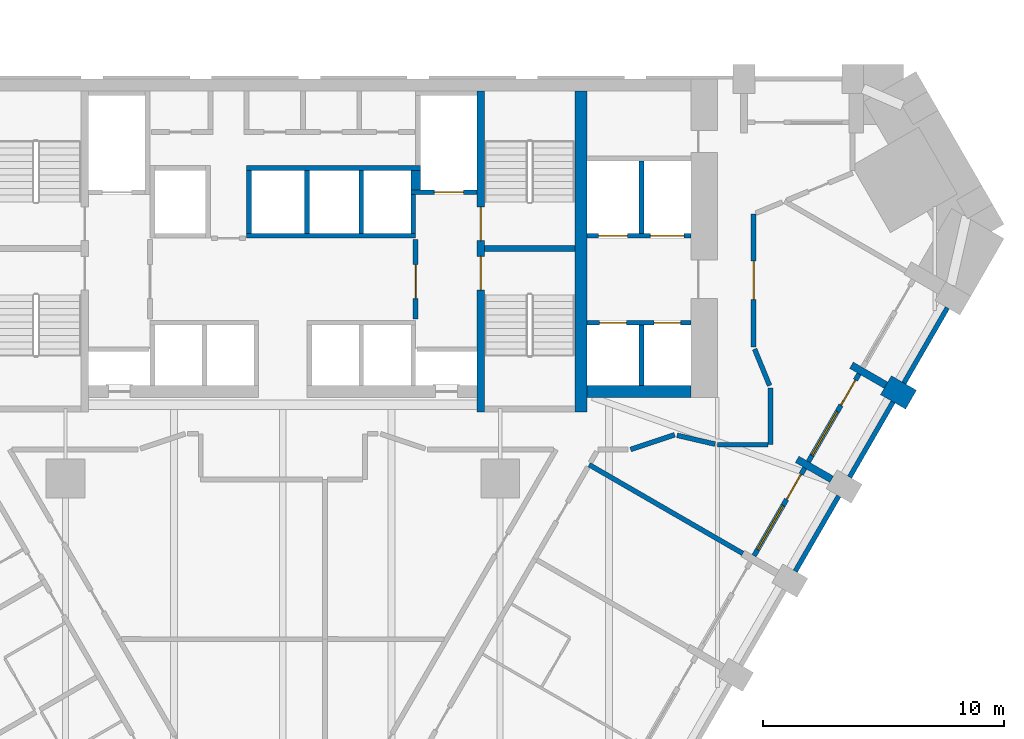
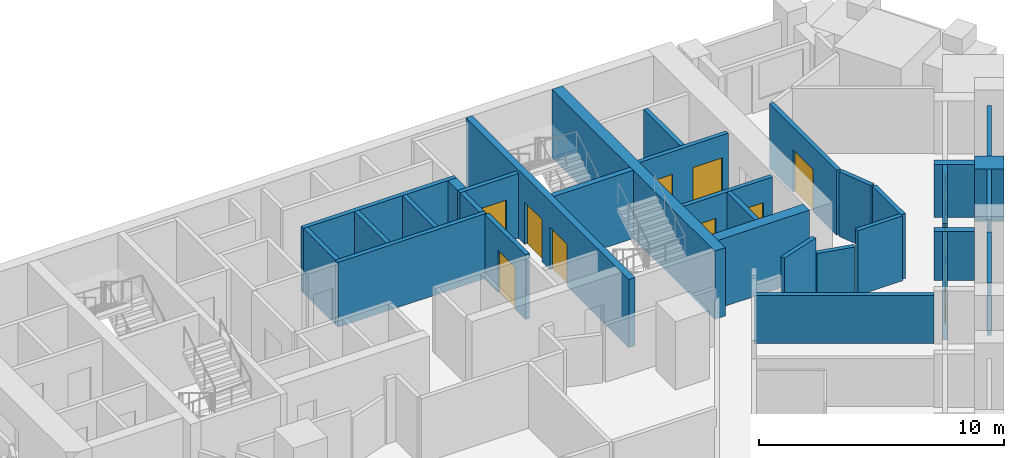
# One storey, part 8 of 11: 32 walls, 11 doors, 2 windows, 13 openings.
"""IFC4 building model written with IfcOpenShell, lengths in metres."""

import ifcopenshell
import ifcopenshell.guid

model = None  # the IFC model being written
_history = None  # IfcOwnerHistory: only IFC2X3 demands one
_inside = {}  # id of a spatial element -> (the spatial element, [elements in it])
_under = {}  # id of a project, library or spatial element -> (it, [spatial elements below it])
_declared = {}  # id of a project -> (the project, [libraries it declares])
_typed = {}  # id of a type object -> (the type object, [elements of that type])
_made_of = {}  # id of a material, layer set ... -> (it, [elements and type objects made of it])


def new_model(schema):
    """Start an empty IFC model of exactly this schema.

    Asked for "IFC4X3", IfcOpenShell would pick the latest addendum, in which some entities
    have other attributes; the version numbers below select the first issue.
    IFC2X3 requires an IfcOwnerHistory on every rooted entity: one is made here for all.
    """
    global model, _history
    if schema == "IFC4X3":
        model = ifcopenshell.file(schema_version=(4, 3, 0, 0))
    else:
        model = ifcopenshell.file(schema=schema)
    _inside.clear()
    _under.clear()
    _declared.clear()
    _typed.clear()
    _made_of.clear()
    _history = None
    if model.schema == "IFC2X3":
        org = make("IfcOrganization", Name="unknown")
        user = make(
            "IfcPersonAndOrganization",
            ThePerson=make("IfcPerson", FamilyName="unknown"),
            TheOrganization=org,
        )
        app = make(
            "IfcApplication",
            ApplicationDeveloper=org,
            Version="unknown",
            ApplicationFullName="unknown",
            ApplicationIdentifier="unknown",
        )
        _history = make(
            "IfcOwnerHistory",
            OwningUser=user,
            OwningApplication=app,
            ChangeAction="ADDED",
            CreationDate=0,
        )
    return model


def make(cls, **values):
    """One entity of the class cls with the attributes given. An attribute that is None is left unset."""
    return model.create_entity(
        cls, **{name: value for name, value in values.items() if value is not None}
    )


def rooted(cls, **values):
    """An entity with a GlobalId (a new one), such as an element, a storey or a relation."""
    return make(cls, GlobalId=ifcopenshell.guid.new(), OwnerHistory=_history, **values)


def si_unit(unit_type, name, prefix=None):
    """IfcSIUnit, for example si_unit("LENGTHUNIT", "METRE", prefix="MILLI")."""
    return make("IfcSIUnit", UnitType=unit_type, Prefix=prefix, Name=name)


def assignment(units):
    """IfcUnitAssignment: the units of a project."""
    return None if units is None else make("IfcUnitAssignment", Units=units)


def point(xyz):
    """IfcCartesianPoint."""
    return None if xyz is None else make("IfcCartesianPoint", Coordinates=xyz)


def direction(xyz):
    """IfcDirection."""
    return None if xyz is None else make("IfcDirection", DirectionRatios=xyz)


def frame(location, z_axis=None, x_axis=None):
    """IfcAxis2Placement3D, a coordinate frame: its origin and axes. An axis left out is left unset."""
    return make(
        "IfcAxis2Placement3D",
        Location=point(location),
        Axis=direction(z_axis),
        RefDirection=direction(x_axis),
    )


def frame_2d(location, x_axis=None):
    """IfcAxis2Placement2D, a coordinate frame in the plane: its origin and x axis."""
    return make(
        "IfcAxis2Placement2D", Location=point(location), RefDirection=direction(x_axis)
    )


def origin():
    """The frame at (0, 0, 0) with its axes left unset."""
    return frame((0.0, 0.0, 0.0))


def place(relative_to, where):
    """IfcLocalPlacement: puts the frame where relative to a parent placement (None: the world)."""
    return make(
        "IfcLocalPlacement", PlacementRelTo=relative_to, RelativePlacement=where
    )


def context(
    kind, dimensions, precision=None, world=None, true_north=None, identifier=None
):
    """IfcGeometricRepresentationContext, for example the 3D "Model" context."""
    return make(
        "IfcGeometricRepresentationContext",
        ContextIdentifier=identifier,
        ContextType=kind,
        CoordinateSpaceDimension=dimensions,
        Precision=precision,
        WorldCoordinateSystem=world,
        TrueNorth=true_north,
    )


def subcontext(parent, identifier, kind, view, scale=None):
    """IfcGeometricRepresentationSubContext, for example "Body" below "Model"."""
    return make(
        "IfcGeometricRepresentationSubContext",
        ContextIdentifier=identifier,
        ContextType=kind,
        ParentContext=parent,
        TargetScale=scale,
        TargetView=view,
    )


def project(units=None, contexts=None):
    """IfcProject with its units and contexts."""
    return rooted(
        "IfcProject",
        Name="project",
        RepresentationContexts=contexts,
        UnitsInContext=assignment(units),
    )


def spatial(cls, under=None, at=None, **own):
    """A site, building, storey or space (cls), placed at a placement, below another one or the project."""
    s = rooted(cls, ObjectPlacement=at, **own)
    if under is not None:
        _under.setdefault(under.id(), (under, []))[1].append(s)
    return s


def polyline(points):
    """IfcPolyline through the points."""
    return make("IfcPolyline", Points=[point(p) for p in points])


def profile(cls, at=None, kind="AREA", **sizes):
    """A parametric profile (cls). Its sizes go by their IFC names, for example OverallWidth=200.0."""
    return make(cls, ProfileType=kind, Position=at, **sizes)


def rectangle(**sizes):
    """IfcRectangleProfileDef."""
    return profile("IfcRectangleProfileDef", **sizes)


def outline(outer, holes=None, kind="AREA"):
    """IfcArbitraryClosedProfileDef: a profile drawn as a closed curve; with holes, ...WithVoids."""
    if holes is None:
        return make("IfcArbitraryClosedProfileDef", ProfileType=kind, OuterCurve=outer)
    return make(
        "IfcArbitraryProfileDefWithVoids",
        ProfileType=kind,
        OuterCurve=outer,
        InnerCurves=holes,
    )


def extrude(swept, where, along, depth):
    """IfcExtrudedAreaSolid: the profile swept, set in the frame where, extruded along a direction by depth."""
    return make(
        "IfcExtrudedAreaSolid",
        SweptArea=swept,
        Position=where,
        ExtrudedDirection=direction(along),
        Depth=depth,
    )


def shape(context_of_items, identifier, shape_type, items):
    """IfcShapeRepresentation: the items that make up one representation, for example the "Body"."""
    return make(
        "IfcShapeRepresentation",
        ContextOfItems=context_of_items,
        RepresentationIdentifier=identifier,
        RepresentationType=shape_type,
        Items=items,
    )


def material(Name=None, Category=None):
    """IfcMaterial."""
    return make("IfcMaterial", Name=Name, Category=Category)


def layer(
    of_material, thickness, ventilated=None, Name=None, Category=None, Priority=None
):
    """IfcMaterialLayer: one layer of a wall or slab, of a material (None: an air gap)."""
    return make(
        "IfcMaterialLayer",
        Material=of_material,
        LayerThickness=thickness,
        IsVentilated=ventilated,
        Name=Name,
        Category=Category,
        Priority=Priority,
    )


def layer_set(layers, Name=None):
    """IfcMaterialLayerSet."""
    return make("IfcMaterialLayerSet", MaterialLayers=layers, LayerSetName=Name)


def made_of(thing, what):
    """Note that an element or type object is made of a material, layer set ...; save() writes the relation."""
    if what is not None:
        _made_of.setdefault(what.id(), (what, []))[1].append(thing)
    return thing


def type_object(cls, material=None, **own):
    """A type object (cls), such as IfcWallType, which elements share."""
    return made_of(rooted(cls, **own), material)


def element(
    cls,
    number,
    at=None,
    inside=None,
    cuts=None,
    type_object=None,
    material=None,
    context=None,
    identifier="Body",
    shape_type=None,
    held_by="IfcProductDefinitionShape",
    body=None,
    shapes=None,
    **own,
):
    """One element of the class cls, such as IfcWall. Its Tag is "e" and its number.

    at: its placement. inside: the storey or other place that contains it. cuts: it is an
    opening in that element (IfcRelVoidsElement). A single representation is given by context,
    identifier, shape_type and body (its items); several are given by shapes. held_by: the class
    of the entity that holds the representations. save() writes the other relations.
    """
    e = rooted(cls, Tag="e%d" % number, ObjectPlacement=at, **own)
    if body is not None:
        shapes = [shape(context, identifier, shape_type, body)]
    if shapes is not None:
        e.Representation = make(held_by, Representations=shapes)
    if inside is not None:
        _inside.setdefault(inside.id(), (inside, []))[1].append(e)
    if cuts is not None:
        rooted(
            "IfcRelVoidsElement", RelatingBuildingElement=cuts, RelatedOpeningElement=e
        )
    if type_object is not None:
        _typed.setdefault(type_object.id(), (type_object, []))[1].append(e)
    return made_of(e, material)


def fill(opening, filler):
    """IfcRelFillsElement: the door or window that sits in an opening."""
    return rooted(
        "IfcRelFillsElement",
        RelatingOpeningElement=opening,
        RelatedBuildingElement=filler,
    )


def aggregate(whole, parts):
    """IfcRelAggregates: a whole, such as a stair, and the parts it consists of."""
    return rooted("IfcRelAggregates", RelatingObject=whole, RelatedObjects=parts)


def save(model, path):
    """Write the relations noted so far, then the file.

    IfcRelAggregates (storeys below a building ...), IfcRelContainedInSpatialStructure (elements
    in a storey), IfcRelDefinesByType, IfcRelAssociatesMaterial and IfcRelDeclares: one each for
    every whole, place, type object, material and project.
    """
    for whole, parts in _under.values():
        aggregate(whole, parts)
    for where, things in _inside.values():
        rooted(
            "IfcRelContainedInSpatialStructure",
            RelatedElements=things,
            RelatingStructure=where,
        )
    for kind, things in _typed.values():
        rooted("IfcRelDefinesByType", RelatedObjects=things, RelatingType=kind)
    for what, things in _made_of.values():
        rooted("IfcRelAssociatesMaterial", RelatedObjects=things, RelatingMaterial=what)
    for by, libraries in _declared.values():
        rooted("IfcRelDeclares", RelatingContext=by, RelatedDefinitions=libraries)
    model.write(path)


model = new_model("IFC4")

# Units and contexts
model_context = context("Model", 3, precision=1e-05, world=origin(), true_north=direction((0.0, 1.0)))
body_context = subcontext(model_context, "Body", "Model", "MODEL_VIEW")
ifc_project = project(units=[si_unit("LENGTHUNIT", "METRE"), si_unit("AREAUNIT", "SQUARE_METRE"), si_unit("VOLUMEUNIT", "CUBIC_METRE"), si_unit("PLANEANGLEUNIT", "RADIAN"), si_unit("MASSUNIT", "GRAM", prefix="KILO")], contexts=[model_context])

# Site, building, storey
site_placement = place(None, origin())
site = spatial("IfcSite", under=ifc_project, at=site_placement, CompositionType="ELEMENT")
building_placement = place(site_placement, origin())
building = spatial("IfcBuilding", under=site, at=building_placement, Name="Calabash Gate Tower", CompositionType="ELEMENT")
storey_placement = place(building_placement, frame((0.0, 0.0, 49.39990234375)))
storey = spatial("IfcBuildingStorey", under=building, at=storey_placement, Name="L07", CompositionType="ELEMENT", Elevation=49.39990234375)

# Walls
ifc_material_1 = material(Name="Terracotta brick masonry, exposed face", Category="masonry")
ifc_layer_1 = layer(ifc_material_1, 1.199951171875)
ifc_layer_set_1 = layer_set([ifc_layer_1], Name="Brick end wall 1200")
wall_type_1 = type_object("IfcWallType", Name="Brick end wall 1200", PredefinedType="SOLIDWALL", material=ifc_layer_set_1)
wall_1_placement = place(storey_placement, frame((26.01953125, 5.76220703125, 0.0), z_axis=(0.0, 0.0, 1.0), x_axis=(-0.866043267704, 0.499969057507, 0.0)))
element("IfcWall", 1, at=wall_1_placement, inside=storey, type_object=wall_type_1, Name="Brick pier S01 SE2.9", PredefinedType="SOLIDWALL", context=body_context, shape_type="SweptSolid", body=[
    extrude(rectangle(XDim=1.19970703125, YDim=0.89990234375, at=frame_2d((0.599853515625, 0.0))), origin(), (0.0, 0.0, 1.0), 2.630126953125),
])
ifc_material_2 = material(Name="Terracotta brick masonry, exposed face", Category="masonry")
ifc_layer_2 = layer(ifc_material_2, 0.300048828125)
ifc_layer_set_2 = layer_set([ifc_layer_2], Name="Brick loggia cheek wall 300")
wall_type_2 = type_object("IfcWallType", Name="Brick loggia cheek wall 300", PredefinedType="SOLIDWALL", material=ifc_layer_set_2)
wall_2_placement = place(storey_placement, frame((21.301513671875, 3.2900390625, 0.0), z_axis=(0.0, 0.0, 1.0), x_axis=(0.866020385251, -0.500008692254, 0.0)))
element("IfcWall", 2, at=wall_2_placement, inside=storey, type_object=wall_type_2, Name="Loggia cheek S01 SE2.8", PredefinedType="SOLIDWALL", context=body_context, shape_type="SweptSolid", body=[
    extrude(rectangle(XDim=1.64892578125, YDim=0.300048828125, at=frame_2d((0.824462890625, 0.0))), origin(), (0.0, 0.0, 1.0), 2.4501953125),
])
wall_3_placement = place(storey_placement, frame((24.98046875, 6.362060546875, 0.0), z_axis=(0.0, 0.0, 1.0), x_axis=(-0.865976140824, 0.500085316245, 0.0)))
element("IfcWall", 3, at=wall_3_placement, inside=storey, type_object=wall_type_2, Name="Loggia cheek S01 SE2.9", PredefinedType="SOLIDWALL", context=body_context, shape_type="SweptSolid", body=[
    extrude(rectangle(XDim=1.650146484375, YDim=0.300048828125, at=frame_2d((0.8251953125, 0.0))), origin(), (0.0, 0.0, 1.0), 2.650146484375),
])
ifc_material_3 = material(Name="Concrete C80/95", Category="concrete")
ifc_layer_3 = layer(ifc_material_3, 0.25)
ifc_layer_set_3 = layer_set([ifc_layer_3], Name="Core wall 250 Concrete C80/95")
wall_type_3 = type_object("IfcWallType", Name="Core wall 250 Concrete C80/95", PredefinedType="SHEAR", material=ifc_layer_set_3)
wall_4_placement = place(storey_placement, frame((8.35009765625, 12.027587890625, 0.0), z_axis=(0.0, 0.0, 1.0), x_axis=(1.0, 0.0, 0.0)))
element("IfcWall", 4, at=wall_4_placement, inside=storey, type_object=wall_type_3, Name="Core wall Z1-MIDE L07", PredefinedType="SHEAR", context=body_context, shape_type="SweptSolid", body=[
    extrude(rectangle(XDim=3.75, YDim=0.25, at=frame_2d((1.875, 0.0))), origin(), (0.0, 0.0, 1.0), 3.400146484375),
])

# Wall, openings, doors
ifc_material_4 = material(Name="Concrete C80/95", Category="concrete")
ifc_layer_4 = layer(ifc_material_4, 0.300048828125)
ifc_layer_set_4 = layer_set([ifc_layer_4], Name="Core wall 300 Concrete C80/95")
wall_type_4 = type_object("IfcWallType", Name="Core wall 300 Concrete C80/95", PredefinedType="SHEAR", material=ifc_layer_set_4)
wall_5_placement = place(storey_placement, frame((8.199951171875, 5.252685546875, 0.0), z_axis=(0.0, 0.0, 1.0), x_axis=(0.0, 1.0, 0.0)))
wall_5 = element("IfcWall", 5, at=wall_5_placement, inside=storey, type_object=wall_type_4, Name="Core wall Z1-PARTE L07", PredefinedType="SHEAR", context=body_context, shape_type="SweptSolid", body=[
    extrude(rectangle(XDim=13.2998046875, YDim=0.300048828125, at=frame_2d((6.64990234375, 0.0))), origin(), (0.0, 0.0, 1.0), 3.400146484375),
])
opening_1_placement = place(wall_5_placement, frame((7.10009765625, 0.0, 0.0)))
opening_1 = element("IfcOpeningElement", 6, at=opening_1_placement, cuts=wall_5, Name="Opening H1-016", PredefinedType="OPENING", context=body_context, shape_type="SweptSolid", body=[
    extrude(rectangle(XDim=1.39990234375, YDim=2.10009765625, at=frame_2d((0.699951171875, 1.050048828125))), frame((0.0, 0.159912109375, 0.0), z_axis=(0.0, -1.0, 0.0), x_axis=(1.0, 0.0, 0.0)), (0.0, 0.0, 1.0), 0.320068359375),
])
opening_2_placement = place(wall_5_placement, frame((5.050048828125, 0.0, 0.0)))
opening_2 = element("IfcOpeningElement", 7, at=opening_2_placement, cuts=wall_5, Name="Opening H1-017", PredefinedType="OPENING", context=body_context, shape_type="SweptSolid", body=[
    extrude(rectangle(XDim=1.39990234375, YDim=2.10009765625, at=frame_2d((0.699951171875, 1.050048828125))), frame((0.0, 0.159912109375, 0.0), z_axis=(0.0, -1.0, 0.0), x_axis=(1.0, 0.0, 0.0)), (0.0, 0.0, 1.0), 0.320068359375),
])
ifc_material_5 = material(Name="Steel fire door set with fire-resisting glazing", Category="steel")
door_type_1 = type_object("IfcDoorType", Name="Fire door D05 1400x2100 FD90", OperationType="NOTDEFINED", PredefinedType="DOOR", material=ifc_material_5)
door_1_placement = place(opening_1_placement, origin())
door_1 = element("IfcDoor", 8, at=door_1_placement, inside=storey, type_object=door_type_1, Name="Exit stair door ST3", OperationType="SINGLE_SWING_RIGHT", OverallHeight=2.10009765625, OverallWidth=1.39990234375, PredefinedType="DOOR", context=body_context, shape_type="SweptSolid", body=[
    extrude(rectangle(XDim=1.39990234375, YDim=2.10009765625, at=frame_2d((0.699951171875, 1.050048828125))), frame((0.0, 0.02490234375, 0.0), z_axis=(0.0, -1.0, 0.0), x_axis=(1.0, 0.0, 0.0)), (0.0, 0.0, 1.0), 0.050048828125),
])
fill(opening_1, door_1)
door_2_placement = place(opening_2_placement, origin())
door_2 = element("IfcDoor", 9, at=door_2_placement, inside=storey, type_object=door_type_1, Name="Exit stair door ST4", OperationType="SINGLE_SWING_LEFT", OverallHeight=2.10009765625, OverallWidth=1.39990234375, PredefinedType="DOOR", context=body_context, shape_type="SweptSolid", body=[
    extrude(rectangle(XDim=1.39990234375, YDim=2.10009765625, at=frame_2d((0.699951171875, 1.050048828125))), frame((0.0, 0.02490234375, 0.0), z_axis=(0.0, -1.0, 0.0), x_axis=(1.0, 0.0, 0.0)), (0.0, 0.0, 1.0), 0.050048828125),
])
fill(opening_2, door_2)

# Walls
ifc_material_6 = material(Name="Concrete C80/95", Category="concrete")
ifc_layer_5 = layer(ifc_material_6, 0.5)
ifc_layer_set_5 = layer_set([ifc_layer_5], Name="Core wall 500 Concrete C80/95")
wall_type_5 = type_object("IfcWallType", Name="Core wall 500 Concrete C80/95", PredefinedType="SHEAR", material=ifc_layer_set_5)
wall_6_placement = place(storey_placement, frame((12.35009765625, 5.252685546875, 0.0), z_axis=(0.0, 0.0, 1.0), x_axis=(0.0, 1.0, 0.0)))
element("IfcWall", 10, at=wall_6_placement, inside=storey, type_object=wall_type_5, Name="Core wall Z1-COLE L07", PredefinedType="SHEAR", context=body_context, shape_type="SweptSolid", body=[
    extrude(rectangle(XDim=13.2998046875, YDim=0.5, at=frame_2d((6.64990234375, 0.0))), origin(), (0.0, 0.0, 1.0), 3.400146484375),
])
wall_7_placement = place(storey_placement, frame((12.60009765625, 6.1025390625, 0.0), z_axis=(0.0, 0.0, 1.0), x_axis=(1.0, 0.0, 0.0)))
element("IfcWall", 11, at=wall_7_placement, inside=storey, type_object=wall_type_5, Name="Core wall Z1-SE L07", PredefinedType="SHEAR", context=body_context, shape_type="SweptSolid", body=[
    extrude(rectangle(XDim=4.2998046875, YDim=0.5, at=frame_2d((2.14990234375, 0.0))), origin(), (0.0, 0.0, 1.0), 3.400146484375),
])
ifc_material_7 = material(Name="Gypsum board on steel studs, mineral wool", Category="steel")
ifc_layer_6 = layer(ifc_material_7, 0.199951171875)
ifc_layer_set_6 = layer_set([ifc_layer_6], Name="Partition 200 gypsum board EI 60")
wall_type_6 = type_object("IfcWallType", Name="Partition 200 gypsum board EI 60", PredefinedType="PARTITIONING", material=ifc_layer_set_6)
wall_8_placement = place(storey_placement, frame((12.6875, 3.0693359375, 0.0), z_axis=(0.0, 0.0, 1.0), x_axis=(0.86592997719, -0.500165247297, 0.0)))
element("IfcWall", 12, at=wall_8_placement, inside=storey, type_object=wall_type_6, Name="Partition", PredefinedType="PARTITIONING", context=body_context, shape_type="SweptSolid", body=[
    extrude(rectangle(XDim=7.349609375, YDim=0.199951171875, at=frame_2d((3.6748046875, 0.0))), origin(), (0.0, 0.0, 1.0), 2.38427734375),
])
wall_9_placement = place(storey_placement, frame((18.0, 3.8994140625, 0.0), z_axis=(0.0, 0.0, 1.0), x_axis=(0.999999993244, 0.000116238521, 0.0)))
element("IfcWall", 13, at=wall_9_placement, inside=storey, type_object=wall_type_6, Name="Partition", PredefinedType="PARTITIONING", context=body_context, shape_type="SweptSolid", body=[
    extrude(rectangle(XDim=2.100341796875, YDim=0.199951171875, at=frame_2d((1.05029296875, 0.0))), origin(), (0.0, 0.0, 1.0), 3.22998046875),
])
wall_10_placement = place(storey_placement, frame((16.325927734375, 4.28662109375, 0.0), z_axis=(0.0, 0.0, 1.0), x_axis=(0.974302124523, -0.225245133464, 0.0)))
element("IfcWall", 14, at=wall_10_placement, inside=storey, type_object=wall_type_6, Name="Partition", PredefinedType="PARTITIONING", context=body_context, shape_type="SweptSolid", body=[
    extrude(rectangle(XDim=1.6181640625, YDim=0.199951171875, at=frame_2d((0.80908203125, 0.0))), origin(), (0.0, 0.0, 1.0), 2.4501953125),
])
wall_11_placement = place(storey_placement, frame((14.400146484375, 3.699462890625, 0.0), z_axis=(0.0, 0.0, 1.0), x_axis=(0.948657960303, 0.316303769112, 0.0)))
element("IfcWall", 15, at=wall_11_placement, inside=storey, type_object=wall_type_6, Name="Partition", PredefinedType="PARTITIONING", context=body_context, shape_type="SweptSolid", body=[
    extrude(rectangle(XDim=1.92724609375, YDim=0.199951171875, at=frame_2d((0.963623046875, 0.0))), origin(), (0.0, 0.0, 1.0), 3.22998046875),
])
wall_12_placement = place(storey_placement, frame((20.200439453125, 3.899658203125, 0.0), z_axis=(0.0, 0.0, 1.0), x_axis=(0.0, 1.0, 0.0)))
element("IfcWall", 16, at=wall_12_placement, inside=storey, type_object=wall_type_6, Name="Partition", PredefinedType="PARTITIONING", context=body_context, shape_type="SweptSolid", body=[
    extrude(rectangle(XDim=2.35302734375, YDim=0.199951171875, at=frame_2d((1.176513671875, 0.0))), origin(), (0.0, 0.0, 1.0), 3.22998046875),
])
wall_13_placement = place(storey_placement, frame((19.53857421875, 7.860107421875, 0.0), z_axis=(0.0, 0.0, 1.0), x_axis=(0.380749805254, -0.924678098475, 0.0)))
element("IfcWall", 17, at=wall_13_placement, inside=storey, type_object=wall_type_6, Name="Partition", PredefinedType="PARTITIONING", context=body_context, shape_type="SweptSolid", body=[
    extrude(rectangle(XDim=1.63818359375, YDim=0.199951171875, at=frame_2d((0.819091796875, 0.0))), origin(), (0.0, 0.0, 1.0), 3.22998046875),
])

# Wall, opening, door
wall_14_placement = place(storey_placement, frame((19.50048828125, 7.95263671875, 0.0), z_axis=(0.0, 0.0, 1.0), x_axis=(0.0, 1.0, 0.0)))
wall_14 = element("IfcWall", 18, at=wall_14_placement, inside=storey, type_object=wall_type_6, Name="Partition", PredefinedType="PARTITIONING", context=body_context, shape_type="SweptSolid", body=[
    extrude(rectangle(XDim=5.49951171875, YDim=0.199951171875, at=frame_2d((2.749755859375, 0.0))), origin(), (0.0, 0.0, 1.0), 3.22998046875),
])
opening_3_placement = place(wall_14_placement, frame((1.94970703125, 0.0, 0.0)))
opening_3 = element("IfcOpeningElement", 19, at=opening_3_placement, cuts=wall_14, Name="Opening 06-08-027", PredefinedType="OPENING", context=body_context, shape_type="SweptSolid", body=[
    extrude(rectangle(XDim=1.60009765625, YDim=2.10009765625, at=frame_2d((0.800048828125, 1.050048828125))), frame((0.0, 0.10986328125, 0.0), z_axis=(0.0, -1.0, 0.0), x_axis=(1.0, 0.0, 0.0)), (0.0, 0.0, 1.0), 0.219970703125),
])
ifc_material_8 = material(Name="Steel fire door set with fire-resisting glazing", Category="steel")
door_type_2 = type_object("IfcDoorType", Name="LD1 Lounge double door 1600x2100", OperationType="NOTDEFINED", PredefinedType="DOOR", material=ifc_material_8)
door_3_placement = place(opening_3_placement, origin())
door_3 = element("IfcDoor", 20, at=door_3_placement, inside=storey, type_object=door_type_2, Name="Lounge double door", OperationType="DOUBLE_DOOR_SINGLE_SWING", OverallHeight=2.10009765625, OverallWidth=1.60009765625, PredefinedType="DOOR", context=body_context, shape_type="SweptSolid", body=[
    extrude(rectangle(XDim=1.60009765625, YDim=2.10009765625, at=frame_2d((0.800048828125, 1.050048828125))), frame((0.0, 0.02490234375, 0.0), z_axis=(0.0, -1.0, 0.0), x_axis=(1.0, 0.0, 0.0)), (0.0, 0.0, 1.0), 0.050048828125),
])
fill(opening_3, door_3)

# Wall
ifc_material_9 = material(Name="Concrete C40/50", Category="concrete")
ifc_layer_7 = layer(ifc_material_9, 0.199951171875)
ifc_layer_set_7 = layer_set([ifc_layer_7], Name="Shaft wall 200 Concrete C40/50")
wall_type_7 = type_object("IfcWallType", Name="Shaft wall 200 Concrete C40/50", PredefinedType="SOLIDWALL", material=ifc_layer_set_7)
wall_15_placement = place(storey_placement, frame((14.85009765625, 6.3525390625, 0.0), z_axis=(0.0, 0.0, 1.0), x_axis=(0.0, 1.0, 0.0)))
element("IfcWall", 21, at=wall_15_placement, inside=storey, type_object=wall_type_7, Name="Shaft wall", PredefinedType="SOLIDWALL", context=body_context, shape_type="SweptSolid", body=[
    extrude(rectangle(XDim=2.5, YDim=0.199951171875, at=frame_2d((1.25, 0.0))), origin(), (0.0, 0.0, 1.0), 3.22998046875),
])

# Wall, openings, doors
wall_16_placement = place(storey_placement, frame((12.60009765625, 8.95263671875, 0.0), z_axis=(0.0, 0.0, 1.0), x_axis=(1.0, 0.0, 0.0)))
wall_16 = element("IfcWall", 22, at=wall_16_placement, inside=storey, type_object=wall_type_7, Name="Shaft wall", PredefinedType="SOLIDWALL", context=body_context, shape_type="SweptSolid", body=[
    extrude(rectangle(XDim=4.2998046875, YDim=0.199951171875, at=frame_2d((2.14990234375, 0.0))), origin(), (0.0, 0.0, 1.0), 3.22998046875),
])
opening_4_placement = place(wall_16_placement, frame((0.52490234375, 0.0, 0.0)))
opening_4 = element("IfcOpeningElement", 23, at=opening_4_placement, cuts=wall_16, Name="Opening LD-LR5", PredefinedType="OPENING", context=body_context, shape_type="SweptSolid", body=[
    extrude(rectangle(XDim=1.10009765625, YDim=2.10009765625, at=frame_2d((0.550048828125, 1.050048828125))), frame((0.0, 0.10986328125, 0.0), z_axis=(0.0, -1.0, 0.0), x_axis=(1.0, 0.0, 0.0)), (0.0, 0.0, 1.0), 0.219970703125),
])
opening_5_placement = place(wall_16_placement, frame((2.77490234375, 0.0, 0.0)))
opening_5 = element("IfcOpeningElement", 24, at=opening_5_placement, cuts=wall_16, Name="Opening LD-LR6", PredefinedType="OPENING", context=body_context, shape_type="SweptSolid", body=[
    extrude(rectangle(XDim=1.10009765625, YDim=2.10009765625, at=frame_2d((0.550048828125, 1.050048828125))), frame((0.0, 0.10986328125, 0.0), z_axis=(0.0, -1.0, 0.0), x_axis=(1.0, 0.0, 0.0)), (0.0, 0.0, 1.0), 0.219970703125),
])
ifc_material_10 = material(Name="Stainless steel sliding door leaves", Category="steel")
door_type_3 = type_object("IfcDoorType", Name="Lift landing door LS1 1100x2100 FD90", OperationType="DOUBLE_DOOR_SLIDING", PredefinedType="DOOR", material=ifc_material_10)
door_4_placement = place(opening_4_placement, origin())
door_4 = element("IfcDoor", 25, at=door_4_placement, inside=storey, type_object=door_type_3, Name="Lift landing door LR5", OperationType="DOUBLE_DOOR_SLIDING", OverallHeight=2.10009765625, OverallWidth=1.10009765625, PredefinedType="DOOR", context=body_context, shape_type="SweptSolid", body=[
    extrude(rectangle(XDim=1.10009765625, YDim=2.10009765625, at=frame_2d((0.550048828125, 1.050048828125))), frame((0.0, 0.02490234375, 0.0), z_axis=(0.0, -1.0, 0.0), x_axis=(1.0, 0.0, 0.0)), (0.0, 0.0, 1.0), 0.050048828125),
])
fill(opening_4, door_4)
door_5_placement = place(opening_5_placement, origin())
door_5 = element("IfcDoor", 26, at=door_5_placement, inside=storey, type_object=door_type_3, Name="Lift landing door LR6", OperationType="DOUBLE_DOOR_SLIDING", OverallHeight=2.10009765625, OverallWidth=1.10009765625, PredefinedType="DOOR", context=body_context, shape_type="SweptSolid", body=[
    extrude(rectangle(XDim=1.10009765625, YDim=2.10009765625, at=frame_2d((0.550048828125, 1.050048828125))), frame((0.0, 0.02490234375, 0.0), z_axis=(0.0, -1.0, 0.0), x_axis=(1.0, 0.0, 0.0)), (0.0, 0.0, 1.0), 0.050048828125),
])
fill(opening_5, door_5)

# Wall, opening, door
wall_17_placement = place(storey_placement, frame((5.5, 9.1025390625, 0.0), z_axis=(0.0, 0.0, 1.0), x_axis=(0.0, 1.0, 0.0)))
wall_17 = element("IfcWall", 27, at=wall_17_placement, inside=storey, type_object=wall_type_7, Name="Shaft wall", PredefinedType="SOLIDWALL", context=body_context, shape_type="SweptSolid", body=[
    extrude(rectangle(XDim=3.300048828125, YDim=0.199951171875, at=frame_2d((1.64990234375, 0.0))), origin(), (0.0, 0.0, 1.0), 3.22998046875),
])
opening_6_placement = place(wall_17_placement, frame((0.85009765625, 0.0, 0.0)))
opening_6 = element("IfcOpeningElement", 28, at=opening_6_placement, cuts=wall_17, Name="Opening H1-006", PredefinedType="OPENING", context=body_context, shape_type="SweptSolid", body=[
    extrude(rectangle(XDim=1.39990234375, YDim=2.10009765625, at=frame_2d((0.699951171875, 1.050048828125))), frame((0.0, 0.10986328125, 0.0), z_axis=(0.0, -1.0, 0.0), x_axis=(1.0, 0.0, 0.0)), (0.0, 0.0, 1.0), 0.219970703125),
])
door_6_placement = place(opening_6_placement, origin())
door_6 = element("IfcDoor", 29, at=door_6_placement, inside=storey, type_object=door_type_1, Name="Firefighting Lobby E door", OperationType="SINGLE_SWING_LEFT", OverallHeight=2.10009765625, OverallWidth=1.39990234375, PredefinedType="DOOR", context=body_context, shape_type="SweptSolid", body=[
    extrude(rectangle(XDim=1.39990234375, YDim=2.10009765625, at=frame_2d((0.699951171875, 1.050048828125))), frame((0.0, 0.02490234375, 0.0), z_axis=(0.0, -1.0, 0.0), x_axis=(1.0, 0.0, 0.0)), (0.0, 0.0, 1.0), 0.050048828125),
])
fill(opening_6, door_6)

# Wall
wall_18_placement = place(storey_placement, frame((-1.5, 12.552490234375, 0.0), z_axis=(0.0, 0.0, 1.0), x_axis=(1.0, 0.0, 0.0)))
element("IfcWall", 30, at=wall_18_placement, inside=storey, type_object=wall_type_7, Name="Shaft wall", PredefinedType="SOLIDWALL", context=body_context, shape_type="SweptSolid", body=[
    extrude(rectangle(XDim=7.0, YDim=0.199951171875, at=frame_2d((3.5, 0.0))), origin(), (0.0, 0.0, 1.0), 3.22998046875),
])

# Wall, openings, doors
wall_19_placement = place(storey_placement, frame((12.60009765625, 12.552490234375, 0.0), z_axis=(0.0, 0.0, 1.0), x_axis=(1.0, 0.0, 0.0)))
wall_19 = element("IfcWall", 31, at=wall_19_placement, inside=storey, type_object=wall_type_7, Name="Shaft wall", PredefinedType="SOLIDWALL", context=body_context, shape_type="SweptSolid", body=[
    extrude(rectangle(XDim=4.2998046875, YDim=0.199951171875, at=frame_2d((2.14990234375, 0.0))), origin(), (0.0, 0.0, 1.0), 3.22998046875),
])
opening_7_placement = place(wall_19_placement, frame((0.47509765625, 0.0, 0.0)))
opening_7 = element("IfcOpeningElement", 32, at=opening_7_placement, cuts=wall_19, Name="Opening LD-SL1", PredefinedType="OPENING", context=body_context, shape_type="SweptSolid", body=[
    extrude(rectangle(XDim=1.199951171875, YDim=2.10009765625, at=frame_2d((0.60009765625, 1.050048828125))), frame((0.0, 0.10986328125, 0.0), z_axis=(0.0, -1.0, 0.0), x_axis=(1.0, 0.0, 0.0)), (0.0, 0.0, 1.0), 0.219970703125),
])
opening_8_placement = place(wall_19_placement, frame((2.625, 0.0, 0.0)))
opening_8 = element("IfcOpeningElement", 33, at=opening_8_placement, cuts=wall_19, Name="Opening LD-GL1", PredefinedType="OPENING", context=body_context, shape_type="SweptSolid", body=[
    extrude(rectangle(XDim=1.39990234375, YDim=2.10009765625, at=frame_2d((0.699951171875, 1.050048828125))), frame((0.0, 0.10986328125, 0.0), z_axis=(0.0, -1.0, 0.0), x_axis=(1.0, 0.0, 0.0)), (0.0, 0.0, 1.0), 0.219970703125),
])
ifc_material_11 = material(Name="Stainless steel sliding door leaves", Category="steel")
door_type_4 = type_object("IfcDoorType", Name="Lift landing door LS3 1200x2100 FD90", OperationType="DOUBLE_DOOR_SLIDING", PredefinedType="DOOR", material=ifc_material_11)
door_7_placement = place(opening_7_placement, origin())
door_7 = element("IfcDoor", 34, at=door_7_placement, inside=storey, type_object=door_type_4, Name="Lift landing door SL1", OperationType="DOUBLE_DOOR_SLIDING", OverallHeight=2.10009765625, OverallWidth=1.199951171875, PredefinedType="DOOR", context=body_context, shape_type="SweptSolid", body=[
    extrude(rectangle(XDim=1.199951171875, YDim=2.10009765625, at=frame_2d((0.60009765625, 1.050048828125))), frame((0.0, 0.02490234375, 0.0), z_axis=(0.0, -1.0, 0.0), x_axis=(1.0, 0.0, 0.0)), (0.0, 0.0, 1.0), 0.050048828125),
])
fill(opening_7, door_7)
ifc_material_12 = material(Name="Stainless steel sliding door leaves", Category="steel")
door_type_5 = type_object("IfcDoorType", Name="Lift landing door LS4 1400x2100 FD90", OperationType="DOUBLE_DOOR_SLIDING", PredefinedType="DOOR", material=ifc_material_12)
door_8_placement = place(opening_8_placement, origin())
door_8 = element("IfcDoor", 35, at=door_8_placement, inside=storey, type_object=door_type_5, Name="Lift landing door GL1", OperationType="DOUBLE_DOOR_SLIDING", OverallHeight=2.10009765625, OverallWidth=1.39990234375, PredefinedType="DOOR", context=body_context, shape_type="SweptSolid", body=[
    extrude(rectangle(XDim=1.39990234375, YDim=2.10009765625, at=frame_2d((0.699951171875, 1.050048828125))), frame((0.0, 0.02490234375, 0.0), z_axis=(0.0, -1.0, 0.0), x_axis=(1.0, 0.0, 0.0)), (0.0, 0.0, 1.0), 0.050048828125),
])
fill(opening_8, door_8)

# Walls
for number, where, z_axis, x_axis, name in (
    (36, (-1.39990234375, 12.652587890625, 0.0), (0.0, 0.0, 1.0), (0.0, 1.0, 0.0), "Shaft wall"),
    (37, (1.0, 12.652587890625, 0.0), (0.0, 0.0, 1.0), (0.0, 1.0, 0.0), "Shaft wall"),
    (38, (3.25, 12.652587890625, 0.0), (0.0, 0.0, 1.0), (0.0, 1.0, 0.0), "Shaft wall"),
):
    element("IfcWall", number, at=place(storey_placement, frame(where, z_axis=z_axis, x_axis=x_axis)), inside=storey, type_object=wall_type_7, Name=name, PredefinedType="SOLIDWALL", context=body_context, shape_type="SweptSolid", body=[
        extrude(rectangle(XDim=2.60009765625, YDim=0.199951171875, at=frame_2d((1.300048828125, 0.0))), origin(), (0.0, 0.0, 1.0), 3.22998046875),
    ])
wall_20_placement = place(storey_placement, frame((5.39990234375, 12.652587890625, 0.0), z_axis=(0.0, 0.0, 1.0), x_axis=(0.0, 1.0, 0.0)))
element("IfcWall", 39, at=wall_20_placement, inside=storey, type_object=wall_type_7, Name="Shaft wall", PredefinedType="SOLIDWALL", context=body_context, shape_type="SweptSolid", body=[
    extrude(rectangle(XDim=1.60009765625, YDim=0.199951171875, at=frame_2d((0.800048828125, 0.0))), origin(), (0.0, 0.0, 1.0), 3.22998046875),
])
wall_21_placement = place(storey_placement, frame((14.85009765625, 12.652587890625, 0.0), z_axis=(0.0, 0.0, 1.0), x_axis=(0.0, 1.0, 0.0)))
element("IfcWall", 40, at=wall_21_placement, inside=storey, type_object=wall_type_7, Name="Shaft wall", PredefinedType="SOLIDWALL", context=body_context, shape_type="SweptSolid", body=[
    extrude(rectangle(XDim=3.0, YDim=0.199951171875, at=frame_2d((1.5, 0.0))), origin(), (0.0, 0.0, 1.0), 3.22998046875),
])

# Wall, opening, door
wall_22_placement = place(storey_placement, frame((5.300048828125, 14.3525390625, 0.0), z_axis=(0.0, 0.0, 1.0), x_axis=(1.0, 0.0, 0.0)))
wall_22 = element("IfcWall", 41, at=wall_22_placement, inside=storey, type_object=wall_type_7, Name="Shaft wall", PredefinedType="SOLIDWALL", context=body_context, shape_type="SweptSolid", body=[
    extrude(rectangle(XDim=2.75, YDim=0.199951171875, at=frame_2d((1.375, 0.0))), origin(), (0.0, 0.0, 1.0), 3.22998046875),
])
opening_9_placement = place(wall_22_placement, frame((0.97509765625, 0.0, 0.0)))
opening_9 = element("IfcOpeningElement", 42, at=opening_9_placement, cuts=wall_22, Name="Opening LD-FF2", PredefinedType="OPENING", context=body_context, shape_type="SweptSolid", body=[
    extrude(rectangle(XDim=1.199951171875, YDim=2.10009765625, at=frame_2d((0.60009765625, 1.050048828125))), frame((0.0, 0.10986328125, 0.0), z_axis=(0.0, -1.0, 0.0), x_axis=(1.0, 0.0, 0.0)), (0.0, 0.0, 1.0), 0.219970703125),
])
door_9_placement = place(opening_9_placement, origin())
door_9 = element("IfcDoor", 43, at=door_9_placement, inside=storey, type_object=door_type_4, Name="Lift landing door FF2", OperationType="DOUBLE_DOOR_SLIDING", OverallHeight=2.10009765625, OverallWidth=1.199951171875, PredefinedType="DOOR", context=body_context, shape_type="SweptSolid", body=[
    extrude(rectangle(XDim=1.199951171875, YDim=2.10009765625, at=frame_2d((0.60009765625, 1.050048828125))), frame((0.0, 0.02490234375, 0.0), z_axis=(0.0, -1.0, 0.0), x_axis=(1.0, 0.0, 0.0)), (0.0, 0.0, 1.0), 0.050048828125),
])
fill(opening_9, door_9)

# Walls
wall_23_placement = place(storey_placement, frame((5.5, 14.45263671875, 0.0), z_axis=(0.0, 0.0, 1.0), x_axis=(0.0, 1.0, 0.0)))
element("IfcWall", 44, at=wall_23_placement, inside=storey, type_object=wall_type_7, Name="Shaft wall", PredefinedType="SOLIDWALL", context=body_context, shape_type="SweptSolid", body=[
    extrude(rectangle(XDim=0.800048828125, YDim=0.39990234375, at=frame_2d((0.39990234375, 0.0))), origin(), (0.0, 0.0, 1.0), 3.22998046875),
])
wall_24_placement = place(storey_placement, frame((-1.5, 15.3525390625, 0.0), z_axis=(0.0, 0.0, 1.0), x_axis=(1.0, 0.0, 0.0)))
element("IfcWall", 45, at=wall_24_placement, inside=storey, type_object=wall_type_7, Name="Shaft wall", PredefinedType="SOLIDWALL", context=body_context, shape_type="SweptSolid", body=[
    extrude(rectangle(XDim=7.199951171875, YDim=0.199951171875, at=frame_2d((3.60009765625, 0.0))), origin(), (0.0, 0.0, 1.0), 3.22998046875),
])
ifc_material_13 = material(Name="Terracotta brick masonry, perforated", Category="masonry")
ifc_layer_8 = layer(ifc_material_13, 0.199951171875)
ifc_layer_set_8 = layer_set([ifc_layer_8], Name="Terracotta jaali screen A")
wall_type_8 = type_object("IfcWallType", Name="Terracotta jaali screen A", PredefinedType="SOLIDWALL", material=ifc_layer_set_8)
wall_25_placement = place(storey_placement, frame((21.22509765625, -1.34228515625, 0.0), z_axis=(0.0, 0.0, 1.0), x_axis=(0.499961193289, 0.866047807691, 0.0)))
element("IfcWall", 46, at=wall_25_placement, inside=storey, type_object=wall_type_8, Name="SCREEN A S01 SE2.8", PredefinedType="SOLIDWALL", context=body_context, shape_type="SweptSolid", body=[
    extrude(rectangle(XDim=3.599853515625, YDim=0.199951171875, at=frame_2d((1.7998046875, 0.0))), origin(), (0.0, 0.0, 1.0), 2.630126953125),
])
wall_26_placement = place(storey_placement, origin())
element("IfcWall", 47, at=wall_26_placement, inside=storey, type_object=wall_type_8, Name="SCREEN A S01 SE2.9", PredefinedType="SOLIDWALL", context=body_context, shape_type="SweptSolid", body=[
    extrude(outline(polyline([(25.1884765625, 5.722412109375), (23.38916015625, 2.606201171875), (23.5625, 2.50634765625), (25.361572265625, 5.62255859375), (25.1884765625, 5.722412109375)])), origin(), (0.0, 0.0, 1.0), 2.630126953125),
])
wall_27_placement = place(storey_placement, frame((25.72509765625, 6.451904296875, 0.0), z_axis=(0.0, 0.0, 1.0), x_axis=(0.499961193289, 0.866047807691, 0.0)))
element("IfcWall", 48, at=wall_27_placement, inside=storey, type_object=wall_type_8, Name="SCREEN A S01 SE2.10", PredefinedType="SOLIDWALL", context=body_context, shape_type="SweptSolid", body=[
    extrude(rectangle(XDim=3.599853515625, YDim=0.199951171875, at=frame_2d((1.7998046875, 0.0))), origin(), (0.0, 0.0, 1.0), 2.630126953125),
])

# Wall, openings, door, window
ifc_material_14 = material(Name="Aluminium framed window wall with insulated spandrel", Category="aluminium")
ifc_layer_9 = layer(ifc_material_14, 0.199951171875)
ifc_layer_set_9 = layer_set([ifc_layer_9], Name="Window wall 200")
wall_type_9 = type_object("IfcWallType", Name="Window wall 200", PredefinedType="ELEMENTEDWALL", material=ifc_layer_set_9)
wall_28_placement = place(storey_placement, frame((19.51611328125, -0.7021484375, 0.0), z_axis=(0.0, 0.0, 1.0), x_axis=(0.500027713859, 0.866009402589, 0.0)))
wall_28 = element("IfcWall", 49, at=wall_28_placement, inside=storey, type_object=wall_type_9, Name="Window wall S01 SE2.8", PredefinedType="ELEMENTEDWALL", context=body_context, shape_type="SweptSolid", body=[
    extrude(rectangle(XDim=4.199951171875, YDim=0.199951171875, at=frame_2d((2.10009765625, 0.0))), origin(), (0.0, 0.0, 1.0), 2.4501953125),
])
opening_10_placement = place(wall_28_placement, frame((0.300048828125, 0.0, 0.60009765625)))
opening_10 = element("IfcOpeningElement", 50, at=opening_10_placement, cuts=wall_28, Name="Opening HW1L-1750", PredefinedType="OPENING", context=body_context, shape_type="SweptSolid", body=[
    extrude(rectangle(XDim=2.10009765625, YDim=1.75, at=frame_2d((1.050048828125, 0.875))), frame((0.0, 0.10986328125, 0.0), z_axis=(0.0, -1.0, 0.0), x_axis=(1.0, 0.0, 0.0)), (0.0, 0.0, 1.0), 0.219970703125),
])
opening_11_placement = place(wall_28_placement, frame((2.699951171875, 0.0, 0.0)))
opening_11 = element("IfcOpeningElement", 51, at=opening_11_placement, cuts=wall_28, Name="Opening H1-022", PredefinedType="OPENING", context=body_context, shape_type="SweptSolid", body=[
    extrude(rectangle(XDim=1.199951171875, YDim=2.35009765625, at=frame_2d((0.60009765625, 1.175048828125))), frame((0.0, 0.10986328125, 0.0), z_axis=(0.0, -1.0, 0.0), x_axis=(1.0, 0.0, 0.0)), (0.0, 0.0, 1.0), 0.219970703125),
])
ifc_material_15 = material(Name="Anodised aluminium frame, bronze finish, impact-rated laminated clear glazing", Category="aluminium")
door_type_6 = type_object("IfcDoorType", Name="Loggia door DH1L-2350 1200x2350", OperationType="SLIDING_TO_LEFT", PredefinedType="DOOR", material=ifc_material_15)
door_10_placement = place(opening_11_placement, origin())
door_10 = element("IfcDoor", 52, at=door_10_placement, inside=storey, type_object=door_type_6, Name="Loggia door S01 SE2.8", OperationType="SINGLE_SWING_LEFT", OverallHeight=2.35009765625, OverallWidth=1.199951171875, PredefinedType="DOOR", context=body_context, shape_type="SweptSolid", body=[
    extrude(rectangle(XDim=1.199951171875, YDim=2.35009765625, at=frame_2d((0.60009765625, 1.175048828125))), frame((0.0, 0.02490234375, 0.0), z_axis=(0.0, -1.0, 0.0), x_axis=(1.0, 0.0, 0.0)), (0.0, 0.0, 1.0), 0.050048828125),
])
fill(opening_11, door_10)
ifc_material_16 = material(Name="Anodised aluminium frame, bronze finish, impact-rated laminated clear glazing", Category="aluminium")
window_type_1 = type_object("IfcWindowType", Name="Window HW1L 2100x1750", PartitioningType="DOUBLE_PANEL_VERTICAL", PredefinedType="WINDOW", material=ifc_material_16)
window_1_placement = place(opening_10_placement, origin())
window_1 = element("IfcWindow", 53, at=window_1_placement, inside=storey, type_object=window_type_1, Name="Window HW1 S01 SE2.8", OverallHeight=1.75, OverallWidth=2.10009765625, PartitioningType="SINGLE_PANEL", PredefinedType="WINDOW", context=body_context, shape_type="SweptSolid", body=[
    extrude(rectangle(XDim=2.10009765625, YDim=1.75, at=frame_2d((1.050048828125, 0.875))), frame((0.0, 0.030029296875, 0.0), z_axis=(0.0, -1.0, 0.0), x_axis=(1.0, 0.0, 0.0)), (0.0, 0.0, 1.0), 0.06005859375),
])
fill(opening_10, window_1)

wall_29_placement = place(storey_placement, frame((21.76611328125, 3.195068359375, 0.0), z_axis=(0.0, 0.0, 1.0), x_axis=(0.500027713859, 0.866009402589, 0.0)))
wall_29 = element("IfcWall", 54, at=wall_29_placement, inside=storey, type_object=wall_type_9, Name="Window wall S01 SE2.9", PredefinedType="ELEMENTEDWALL", context=body_context, shape_type="SweptSolid", body=[
    extrude(rectangle(XDim=4.199951171875, YDim=0.199951171875, at=frame_2d((2.10009765625, 0.0))), origin(), (0.0, 0.0, 1.0), 2.650146484375),
])
opening_12_placement = place(wall_29_placement, frame((0.300048828125, 0.0, 0.60009765625)))
opening_12 = element("IfcOpeningElement", 55, at=opening_12_placement, cuts=wall_29, Name="Opening HW1", PredefinedType="OPENING", context=body_context, shape_type="SweptSolid", body=[
    extrude(rectangle(XDim=2.10009765625, YDim=1.800048828125, at=frame_2d((1.050048828125, 0.89990234375))), frame((0.0, 0.10986328125, 0.0), z_axis=(0.0, -1.0, 0.0), x_axis=(1.0, 0.0, 0.0)), (0.0, 0.0, 1.0), 0.219970703125),
])
opening_13_placement = place(wall_29_placement, frame((2.699951171875, 0.0, 0.0)))
opening_13 = element("IfcOpeningElement", 56, at=opening_13_placement, cuts=wall_29, Name="Opening H1-023", PredefinedType="OPENING", context=body_context, shape_type="SweptSolid", body=[
    extrude(rectangle(XDim=1.199951171875, YDim=2.39990234375, at=frame_2d((0.60009765625, 1.199951171875))), frame((0.0, 0.10986328125, 0.0), z_axis=(0.0, -1.0, 0.0), x_axis=(1.0, 0.0, 0.0)), (0.0, 0.0, 1.0), 0.219970703125),
])
ifc_material_17 = material(Name="Anodised aluminium frame, bronze finish, impact-rated laminated clear glazing", Category="aluminium")
door_type_7 = type_object("IfcDoorType", Name="Loggia door DH1 1200x2400", OperationType="SLIDING_TO_LEFT", PredefinedType="DOOR", material=ifc_material_17)
door_11_placement = place(opening_13_placement, origin())
door_11 = element("IfcDoor", 57, at=door_11_placement, inside=storey, type_object=door_type_7, Name="Loggia door S01 SE2.9", OperationType="SINGLE_SWING_LEFT", OverallHeight=2.39990234375, OverallWidth=1.199951171875, PredefinedType="DOOR", context=body_context, shape_type="SweptSolid", body=[
    extrude(rectangle(XDim=1.199951171875, YDim=2.39990234375, at=frame_2d((0.60009765625, 1.199951171875))), frame((0.0, 0.02490234375, 0.0), z_axis=(0.0, -1.0, 0.0), x_axis=(1.0, 0.0, 0.0)), (0.0, 0.0, 1.0), 0.050048828125),
])
fill(opening_13, door_11)
ifc_material_18 = material(Name="Anodised aluminium frame, bronze finish, impact-rated laminated clear glazing", Category="aluminium")
window_type_2 = type_object("IfcWindowType", Name="Window HW1 2100x1800", PartitioningType="DOUBLE_PANEL_VERTICAL", PredefinedType="WINDOW", material=ifc_material_18)
window_2_placement = place(opening_12_placement, origin())
window_2 = element("IfcWindow", 58, at=window_2_placement, inside=storey, type_object=window_type_2, Name="Window HW1 S01 SE2.9", OverallHeight=1.800048828125, OverallWidth=2.10009765625, PartitioningType="SINGLE_PANEL", PredefinedType="WINDOW", context=body_context, shape_type="SweptSolid", body=[
    extrude(rectangle(XDim=2.10009765625, YDim=1.800048828125, at=frame_2d((1.050048828125, 0.89990234375))), frame((0.0, 0.030029296875, 0.0), z_axis=(0.0, -1.0, 0.0), x_axis=(1.0, 0.0, 0.0)), (0.0, 0.0, 1.0), 0.06005859375),
])
fill(opening_12, window_2)

save(model, "model.ifc")
